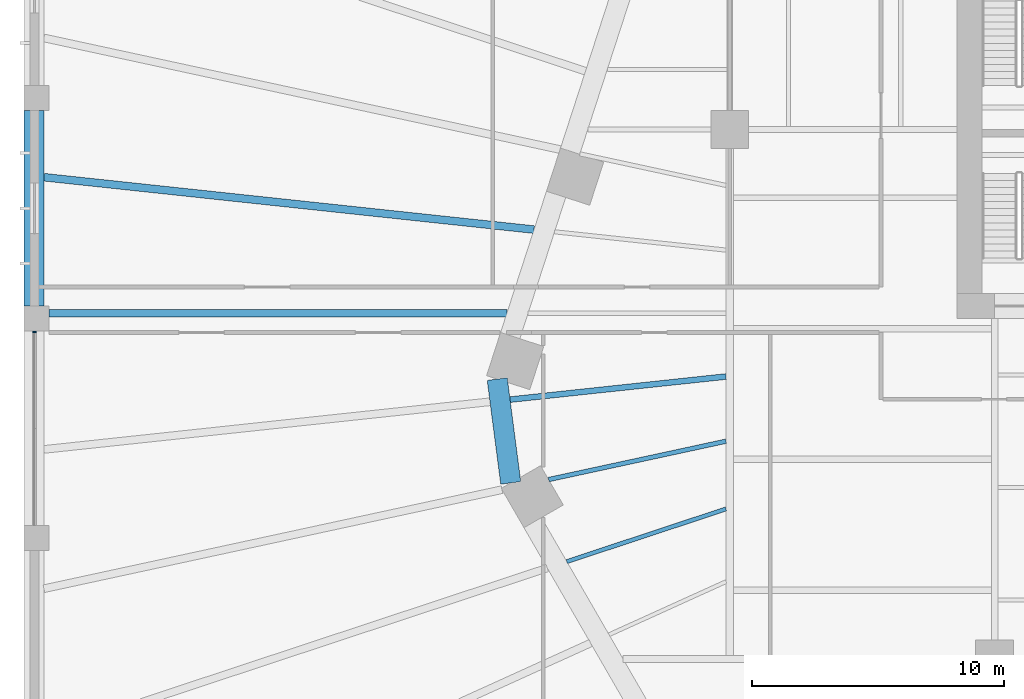
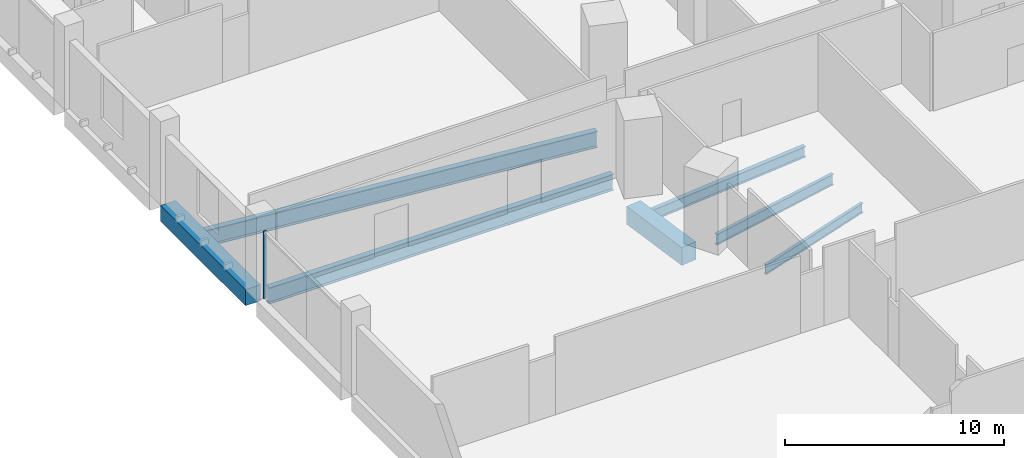
# One storey, part 5 of 33: 7 beams, 1 member, 1 element without a shape of its own.
"""IFC4 building model written with IfcOpenShell, lengths in metres."""

from ifc_helpers import new_model, si_unit, direction, frame, origin, origin_2d, place, context, subcontext, project, spatial, rectangle, i_section, extrude, material, layer, layer_set, material_profile, profile_set, type_object, element, aggregate, save


model = new_model("IFC4")

# Units and contexts
model_context = context("Model", 3, precision=1e-05, world=origin(), true_north=direction((0.0, 1.0)))
body_context = subcontext(model_context, "Body", "Model", "MODEL_VIEW")
ifc_project = project(units=[si_unit("LENGTHUNIT", "METRE"), si_unit("AREAUNIT", "SQUARE_METRE"), si_unit("VOLUMEUNIT", "CUBIC_METRE"), si_unit("PLANEANGLEUNIT", "RADIAN"), si_unit("MASSUNIT", "GRAM", prefix="KILO")], contexts=[model_context])

# Site, building, storey
site_placement = place(None, origin())
site = spatial("IfcSite", under=ifc_project, at=site_placement, CompositionType="ELEMENT")
building_placement = place(site_placement, origin())
building = spatial("IfcBuilding", under=site, at=building_placement, Name="Isthmus Gate Tower", CompositionType="ELEMENT")
storey_placement = place(building_placement, frame((0.0, 0.0, 31.5)))
storey = spatial("IfcBuildingStorey", under=building, at=storey_placement, Name="L05", CompositionType="ELEMENT", Elevation=31.5)

# Curtain wall, member
ifc_material_1 = material(Name="Aluminium, pale champagne anodised", Category="aluminium")
ifc_layer = layer(ifc_material_1, 0.14990234375)
ifc_layer_set = layer_set([ifc_layer], Name="CW-3 STOREFRONT CURTAIN WALL 150 DEEP")
curtain_wall_type = type_object("IfcCurtainWallType", Name="CW-3 STOREFRONT CURTAIN WALL 150 DEEP", PredefinedType="NOTDEFINED", material=ifc_layer_set)
curtain_wall_placement = place(storey_placement, origin())
curtain_wall = element("IfcCurtainWall", 1, at=curtain_wall_placement, inside=storey, type_object=curtain_wall_type, Name="CW-3 W L05", PredefinedType="NOTDEFINED")
ifc_material_2 = material(Name="Aluminium, pale champagne anodised", Category="aluminium")
ifc_material_profile_1 = material_profile(ifc_material_2, rectangle(XDim=0.06005859375, YDim=0.14990234375, at=origin_2d()), Name="60x150")
ifc_profile_set_1 = profile_set([ifc_material_profile_1], Name="Aluminium, pale champagne anodised")
member_type = type_object("IfcMemberType", Name="CW-3 MULLION 60 X 150", PredefinedType="MULLION", material=ifc_profile_set_1)
member_placement = place(storey_placement, frame((-51.574951171875, -0.530029296875, -0.300048828125), z_axis=(0.0, 0.0, 1.0), x_axis=(0.0, -1.0, 0.0)))
member = element("IfcMember", 2, at=member_placement, type_object=member_type, Name="CW-3 mullion", PredefinedType="MULLION", context=body_context, shape_type="SweptSolid", body=[
    extrude(rectangle(XDim=0.06005859375, YDim=0.14990234375, at=origin_2d()), origin(), (0.0, 0.0, 1.0), 3.75),
])
aggregate(curtain_wall, [member])

# Beams
ifc_material_3 = material(Name="Concrete f'c 70 MPa", Category="concrete")
ifc_material_profile_2 = material_profile(ifc_material_3, rectangle(XDim=0.800048828125, YDim=0.89990234375, at=origin_2d()), Name="RC 800X900")
ifc_profile_set_2 = profile_set([ifc_material_profile_2], Name="Concrete f'c 70 MPa")
beam_type_1 = type_object("IfcBeamType", Name="RC EDGE BEAM 800 X 900", PredefinedType="BEAM", material=ifc_profile_set_2)
beam_1_placement = place(storey_placement, frame((-51.60009765625, 0.5, -0.75), z_axis=(0.0, 1.0, 0.0), x_axis=(-1.0, 0.0, 0.0)))
element("IfcBeam", 3, at=beam_1_placement, inside=storey, type_object=beam_type_1, Name="str-edgebeam-L05-04", PredefinedType="BEAM", context=body_context, shape_type="SweptSolid", body=[
    extrude(rectangle(XDim=0.800048828125, YDim=0.89990234375, at=origin_2d()), origin(), (0.0, 0.0, 1.0), 7.75),
])
ifc_material_4 = material(Name="Concrete f'c 70 MPa", Category="concrete")
ifc_material_profile_3 = material_profile(ifc_material_4, rectangle(XDim=0.800048828125, YDim=1.0, at=origin_2d()), Name="RC 800X1000")
ifc_profile_set_3 = profile_set([ifc_material_profile_3], Name="Concrete f'c 70 MPa")
beam_type_2 = type_object("IfcBeamType", Name="RC TUBE RING BEAM 800 X 1000", PredefinedType="BEAM", material=ifc_profile_set_3)
beam_2_placement = place(storey_placement, frame((-32.6884765625, -6.515380859375, -0.800048828125), z_axis=(-0.129170777359, 0.991622362735, 0.0), x_axis=(-0.991622362735, -0.129170777359, 0.0)))
element("IfcBeam", 4, at=beam_2_placement, inside=storey, type_object=beam_type_2, Name="str-ringbeam-L05-17", PredefinedType="BEAM", context=body_context, shape_type="SweptSolid", body=[
    extrude(rectangle(XDim=0.800048828125, YDim=1.0, at=origin_2d()), origin(), (0.0, 0.0, 1.0), 4.15234375),
])
ifc_material_5 = material(Name="Structural steel ASTM A992 Gr 50", Category="steel")
ifc_material_profile_4 = material_profile(ifc_material_5, i_section(OverallWidth=0.1650390625, OverallDepth=0.52392578125, WebThickness=0.009521484375, FlangeThickness=0.010986328125, at=origin_2d()), Name="W21X44")
ifc_profile_set_4 = profile_set([ifc_material_profile_4], Name="Structural steel ASTM A992 Gr 50")
beam_type_3 = type_object("IfcBeamType", Name="STEEL FLOOR BEAM W21X44", PredefinedType="JOIST", material=ifc_profile_set_4)
beam_3_placement = place(storey_placement, frame((-24.15234375, -7.547607421875, -0.56201171875), z_axis=(-0.949397017139, -0.3140784995, 0.0), x_axis=(0.3140784995, -0.949397017139, 0.0)))
element("IfcBeam", 5, at=beam_3_placement, inside=storey, type_object=beam_type_3, Name="str-beam-L05-19-39", PredefinedType="JOIST", context=body_context, shape_type="SweptSolid", body=[
    extrude(i_section(OverallWidth=0.1650390625, OverallDepth=0.52392578125, WebThickness=0.009521484375, FlangeThickness=0.010986328125, at=origin_2d()), origin(), (0.0, 0.0, 1.0), 6.647705078125),
])
ifc_material_6 = material(Name="Structural steel ASTM A992 Gr 50", Category="steel")
ifc_material_profile_5 = material_profile(ifc_material_6, i_section(OverallWidth=0.177734375, OverallDepth=0.60009765625, WebThickness=0.009521484375, FlangeThickness=0.0126953125, at=origin_2d()), Name="W24X55")
ifc_profile_set_5 = profile_set([ifc_material_profile_5], Name="Structural steel ASTM A992 Gr 50")
beam_type_4 = type_object("IfcBeamType", Name="STEEL FLOOR BEAM W24X55", PredefinedType="JOIST", material=ifc_profile_set_5)
beam_4_placement = place(storey_placement, frame((-24.15234375, -4.861328125, -0.60009765625), z_axis=(-0.977399012769, -0.211402861471, 0.0), x_axis=(0.211402861471, -0.977399012769, 0.0)))
element("IfcBeam", 6, at=beam_4_placement, inside=storey, type_object=beam_type_4, Name="str-beam-L05-19-37", PredefinedType="JOIST", context=body_context, shape_type="SweptSolid", body=[
    extrude(i_section(OverallWidth=0.177734375, OverallDepth=0.60009765625, WebThickness=0.009521484375, FlangeThickness=0.0126953125, at=origin_2d()), origin(), (0.0, 0.0, 1.0), 7.197021484375),
])
ifc_material_7 = material(Name="Structural steel ASTM A992 Gr 50", Category="steel")
ifc_material_profile_6 = material_profile(ifc_material_7, i_section(OverallWidth=0.228515625, OverallDepth=0.603271484375, WebThickness=0.010986328125, FlangeThickness=0.014404296875, at=origin_2d()), Name="W24X68")
ifc_profile_set_6 = profile_set([ifc_material_profile_6], Name="Structural steel ASTM A992 Gr 50")
beam_type_5 = type_object("IfcBeamType", Name="STEEL FLOOR BEAM W24X68", PredefinedType="JOIST", material=ifc_profile_set_6)
beam_5_placement = place(storey_placement, frame((-24.15234375, -2.296630859375, -0.6015625), z_axis=(-0.994336255068, -0.106279875132, 0.0), x_axis=(0.106279875132, -0.994336255068, 0.0)))
element("IfcBeam", 7, at=beam_5_placement, inside=storey, type_object=beam_type_5, Name="str-beam-L05-19-35", PredefinedType="JOIST", context=body_context, shape_type="SweptSolid", body=[
    extrude(i_section(OverallWidth=0.228515625, OverallDepth=0.603271484375, WebThickness=0.010986328125, FlangeThickness=0.014404296875, at=origin_2d()), origin(), (0.0, 0.0, 1.0), 8.612060546875),
])
ifc_material_8 = material(Name="Structural steel ASTM A992 Gr 50", Category="steel")
ifc_material_profile_7 = material_profile(ifc_material_8, i_section(OverallWidth=0.3046875, OverallDepth=0.901611328125, WebThickness=0.015869140625, FlangeThickness=0.0205078125, at=origin_2d()), Name="W36X135")
ifc_profile_set_7 = profile_set([ifc_material_profile_7], Name="Structural steel ASTM A992 Gr 50")
beam_type_6 = type_object("IfcBeamType", Name="STEEL FLOOR BEAM W36X135", PredefinedType="JOIST", material=ifc_profile_set_7)
beam_6_placement = place(storey_placement, frame((-32.84326171875, 0.210205078125, -0.750732421875), z_axis=(-1.0, 0.0, 0.0), x_axis=(0.0, -1.0, 0.0)))
element("IfcBeam", 8, at=beam_6_placement, inside=storey, type_object=beam_type_6, Name="str-beam-L05-19-34", PredefinedType="JOIST", context=body_context, shape_type="SweptSolid", body=[
    extrude(i_section(OverallWidth=0.3046875, OverallDepth=0.901611328125, WebThickness=0.015869140625, FlangeThickness=0.0205078125, at=origin_2d()), origin(), (0.0, 0.0, 1.0), 18.15673828125),
])
ifc_material_9 = material(Name="Structural steel ASTM A992 Gr 50", Category="steel")
ifc_material_profile_8 = material_profile(ifc_material_9, i_section(OverallWidth=0.3046875, OverallDepth=0.914306640625, WebThickness=0.015869140625, FlangeThickness=0.025390625, at=origin_2d()), Name="W36X160")
ifc_profile_set_8 = profile_set([ifc_material_profile_8], Name="Structural steel ASTM A992 Gr 50")
beam_type_7 = type_object("IfcBeamType", Name="STEEL FLOOR BEAM W36X160", PredefinedType="JOIST", material=ifc_profile_set_8)
beam_7_placement = place(storey_placement, frame((-31.764404296875, 3.53076171875, -0.757080078125), z_axis=(-0.994334830289, 0.106293204273, 0.0), x_axis=(-0.106293204273, -0.994334830289, 0.0)))
element("IfcBeam", 9, at=beam_7_placement, inside=storey, type_object=beam_type_7, Name="str-beam-L05-19-32", PredefinedType="JOIST", context=body_context, shape_type="SweptSolid", body=[
    extrude(i_section(OverallWidth=0.3046875, OverallDepth=0.914306640625, WebThickness=0.015869140625, FlangeThickness=0.025390625, at=origin_2d()), origin(), (0.0, 0.0, 1.0), 19.54638671875),
])

save(model, "model.ifc")
